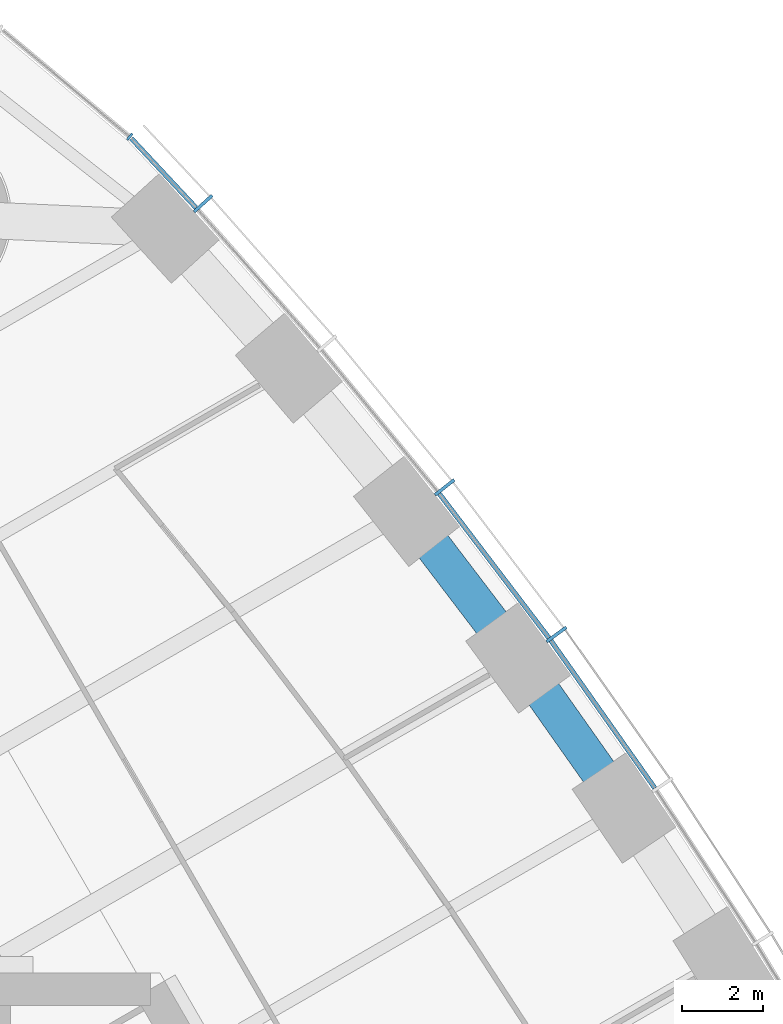
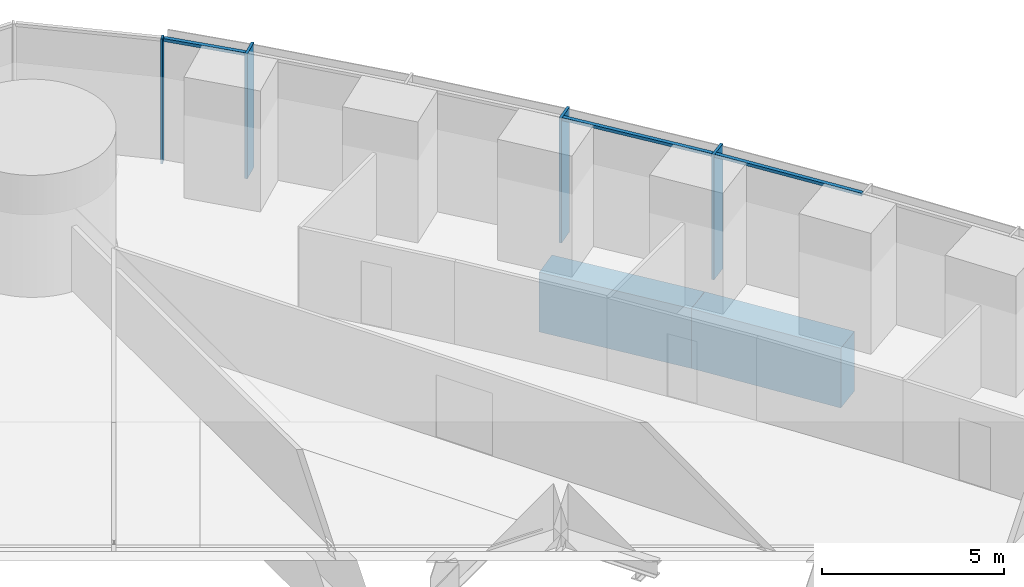
# One storey, part 6 of 18: 7 members, 2 beams, 2 elements without a shape of their own.
"""IFC4 building model written with IfcOpenShell, lengths in metres."""

from ifc_helpers import new_model, si_unit, direction, frame, origin, origin_2d, place, context, subcontext, project, spatial, rectangle, extrude, material, material_profile, profile_set, type_object, element, aggregate, save


model = new_model("IFC4")

# Units and contexts
model_context = context("Model", 3, precision=1e-05, world=origin(), true_north=direction((0.0, 1.0)))
body_context = subcontext(model_context, "Body", "Model", "MODEL_VIEW")
ifc_project = project(units=[si_unit("LENGTHUNIT", "METRE"), si_unit("AREAUNIT", "SQUARE_METRE"), si_unit("VOLUMEUNIT", "CUBIC_METRE"), si_unit("PLANEANGLEUNIT", "RADIAN"), si_unit("MASSUNIT", "GRAM", prefix="KILO")], contexts=[model_context])

# Site, building, storey
site_placement = place(None, origin())
site = spatial("IfcSite", under=ifc_project, at=site_placement, CompositionType="ELEMENT")
building_placement = place(site_placement, origin())
building = spatial("IfcBuilding", under=site, at=building_placement, Name="Trefoil Bronze Tower", CompositionType="ELEMENT")
storey_placement = place(building_placement, frame((0.0, 0.0, 115.699951171875)))
storey = spatial("IfcBuildingStorey", under=building, at=storey_placement, Name="L26", CompositionType="ELEMENT", Elevation=115.699951171875)

# Curtain wall, members
ifc_material_1 = material(Name="Tinted solar-control glass", Category="glass")
curtain_wall_type_1 = type_object("IfcCurtainWallType", Name="Bronze office curtain wall", PredefinedType="USERDEFINED", material=ifc_material_1)
curtain_wall_1_placement = place(storey_placement, origin())
curtain_wall_1 = element("IfcCurtainWall", 1, at=curtain_wall_1_placement, inside=storey, type_object=curtain_wall_type_1, Name="CW-A L26 F2", ObjectType="CURTAIN WALL", PredefinedType="USERDEFINED")
ifc_material_2 = material(Name="Bronze-finish aluminium", Category="aluminium")
ifc_material_profile_1 = material_profile(ifc_material_2, rectangle(XDim=0.60009765625, YDim=0.080078125, at=origin_2d()), Name="CW-A mullion")
ifc_profile_set_1 = profile_set([ifc_material_profile_1], Name="Bronze-finish aluminium")
member_type_1 = type_object("IfcMemberType", Name="Bronze office curtain wall mullion", PredefinedType="MULLION", material=ifc_profile_set_1)
member_1_placement = place(storey_placement, frame((15.764404296875, 24.7275390625, 0.0), z_axis=(0.0, 0.0, 1.0), x_axis=(-0.806874522901, -0.590722865897, 0.0)))
member_1 = element("IfcMember", 2, at=member_1_placement, type_object=member_type_1, Name="CW-A L26 F2 mullion 11", PredefinedType="MULLION", context=body_context, shape_type="SweptSolid", body=[
    extrude(rectangle(XDim=0.60009765625, YDim=0.080078125, at=origin_2d()), origin(), (0.0, 0.0, 1.0), 4.179931640625),
])
member_2_placement = place(storey_placement, frame((13.01220703125, 28.34716796875, 0.0), z_axis=(0.0, 0.0, 1.0), x_axis=(-0.78487913905, -0.619648882098, 0.0)))
member_2 = element("IfcMember", 3, at=member_2_placement, type_object=member_type_1, Name="CW-A L26 F2 mullion 12", PredefinedType="MULLION", context=body_context, shape_type="SweptSolid", body=[
    extrude(rectangle(XDim=0.60009765625, YDim=0.080078125, at=origin_2d()), origin(), (0.0, 0.0, 1.0), 4.179931640625),
])
member_3_placement = place(storey_placement, frame((7.070068359375, 35.332275390625, 0.0), z_axis=(0.0, 0.0, 1.0), x_axis=(-0.740360700327, -0.672209813534, 0.0)))
member_3 = element("IfcMember", 4, at=member_3_placement, type_object=member_type_1, Name="CW-A L26 F2 mullion 14", PredefinedType="MULLION", context=body_context, shape_type="SweptSolid", body=[
    extrude(rectangle(XDim=0.60009765625, YDim=0.080078125, at=origin_2d()), origin(), (0.0, 0.0, 1.0), 4.179931640625),
])
ifc_material_3 = material(Name="Bronze-finish aluminium", Category="aluminium")
ifc_material_profile_2 = material_profile(ifc_material_3, rectangle(XDim=0.1201171875, YDim=0.10009765625, at=origin_2d()), Name="CW-A transom")
ifc_profile_set_2 = profile_set([ifc_material_profile_2], Name="Bronze-finish aluminium")
member_type_2 = type_object("IfcMemberType", Name="Bronze office curtain wall transom", PredefinedType="USERDEFINED", material=ifc_profile_set_2)
member_4_placement = place(storey_placement, frame((18.18359375, 20.947021484375, 4.130126953125), z_axis=(-0.576017858824, 0.817437108478, 0.0), x_axis=(-0.817437108478, -0.576017858824, 0.0)))
member_4 = element("IfcMember", 5, at=member_4_placement, type_object=member_type_2, Name="CW-A L26 F2 transom 10", ObjectType="TRANSOM", PredefinedType="USERDEFINED", context=body_context, shape_type="SweptSolid", body=[
    extrude(rectangle(XDim=0.1201171875, YDim=0.10009765625, at=origin_2d()), origin(), (0.0, 0.0, 1.0), 4.4384765625),
])
member_5_placement = place(storey_placement, frame((15.57763671875, 24.642578125, 4.130126953125), z_axis=(-0.605229114572, 0.796051329296, 0.0), x_axis=(-0.796051329296, -0.605229114572, 0.0)))
member_5 = element("IfcMember", 6, at=member_5_placement, type_object=member_type_2, Name="CW-A L26 F2 transom 11", ObjectType="TRANSOM", PredefinedType="USERDEFINED", context=body_context, shape_type="SweptSolid", body=[
    extrude(rectangle(XDim=0.1201171875, YDim=0.10009765625, at=origin_2d()), origin(), (0.0, 0.0, 1.0), 4.456298828125),
])
member_6_placement = place(storey_placement, frame((6.893798828125, 35.22802734375, 4.130126953125), z_axis=(-0.682489214428, 0.730895664366, 0.0), x_axis=(-0.730895664366, -0.682489214428, 0.0)))
member_6 = element("IfcMember", 7, at=member_6_placement, type_object=member_type_2, Name="CW-A L26 F2 transom 14", ObjectType="TRANSOM", PredefinedType="USERDEFINED", context=body_context, shape_type="SweptSolid", body=[
    extrude(rectangle(XDim=0.1201171875, YDim=0.10009765625, at=origin_2d()), origin(), (0.0, 0.0, 1.0), 2.340087890625),
])
aggregate(curtain_wall_1, [member_1, member_2, member_3, member_4, member_5, member_6])

# Curtain wall, member
ifc_material_4 = material(Name="Tinted solar-control glass", Category="glass")
curtain_wall_type_2 = type_object("IfcCurtainWallType", Name="Bronze rounded corner curtain wall", PredefinedType="USERDEFINED", material=ifc_material_4)
curtain_wall_2_placement = place(storey_placement, origin())
curtain_wall_2 = element("IfcCurtainWall", 8, at=curtain_wall_2_placement, inside=storey, type_object=curtain_wall_type_2, Name="CW-B L26 K2", ObjectType="CURTAIN WALL", PredefinedType="USERDEFINED")
ifc_material_5 = material(Name="Bronze-finish aluminium", Category="aluminium")
ifc_material_profile_3 = material_profile(ifc_material_5, rectangle(XDim=0.199951171875, YDim=0.06005859375, at=origin_2d()), Name="CW-B mullion")
ifc_profile_set_3 = profile_set([ifc_material_profile_3], Name="Bronze-finish aluminium")
member_type_3 = type_object("IfcMemberType", Name="Bronze rounded corner curtain wall mullion", PredefinedType="MULLION", material=ifc_profile_set_3)
member_7_placement = place(storey_placement, frame((5.260498046875, 36.975830078125, 0.0), z_axis=(0.0, 0.0, 1.0), x_axis=(-0.642787609687, -0.766044443119, 0.0)))
member_7 = element("IfcMember", 9, at=member_7_placement, type_object=member_type_3, Name="CW-B L26 K2 mullion 1", PredefinedType="MULLION", context=body_context, shape_type="SweptSolid", body=[
    extrude(rectangle(XDim=0.199951171875, YDim=0.06005859375, at=origin_2d()), origin(), (0.0, 0.0, 1.0), 4.179931640625),
])
aggregate(curtain_wall_2, [member_7])

# Beams
ifc_material_6 = material(Name="Concrete B80", Category="concrete")
ifc_material_profile_4 = material_profile(ifc_material_6, rectangle(XDim=0.89990234375, YDim=2.0, at=origin_2d()), Name="RC 900x2000")
ifc_profile_set_4 = profile_set([ifc_material_profile_4], Name="Concrete B80")
beam_type = type_object("IfcBeamType", Name="Spandrel beam RC 900x2000", PredefinedType="SPANDREL", material=ifc_profile_set_4)
beam_1_placement = place(storey_placement, frame((17.43017578125, 20.45556640625, -1.199951171875), z_axis=(-0.576439228712, 0.81714002203, 0.0), x_axis=(-0.81714002203, -0.576439228712, 0.0)))
element("IfcBeam", 10, at=beam_1_placement, inside=storey, type_object=beam_type, Name="Spandrel F2.10 L26", PredefinedType="SPANDREL", context=body_context, shape_type="SweptSolid", body=[
    extrude(rectangle(XDim=0.89990234375, YDim=2.0, at=origin_2d()), origin(), (0.0, 0.0, 1.0), 4.5185546875),
])
beam_2_placement = place(storey_placement, frame((14.825439453125, 24.14794921875, -1.199951171875), z_axis=(-0.605898901788, 0.795541652468, 0.0), x_axis=(-0.795541652468, -0.605898901788, 0.0)))
element("IfcBeam", 11, at=beam_2_placement, inside=storey, type_object=beam_type, Name="Spandrel F2.11 L26", PredefinedType="SPANDREL", context=body_context, shape_type="SweptSolid", body=[
    extrude(rectangle(XDim=0.89990234375, YDim=2.0, at=origin_2d()), origin(), (0.0, 0.0, 1.0), 4.53662109375),
])

save(model, "model.ifc")
